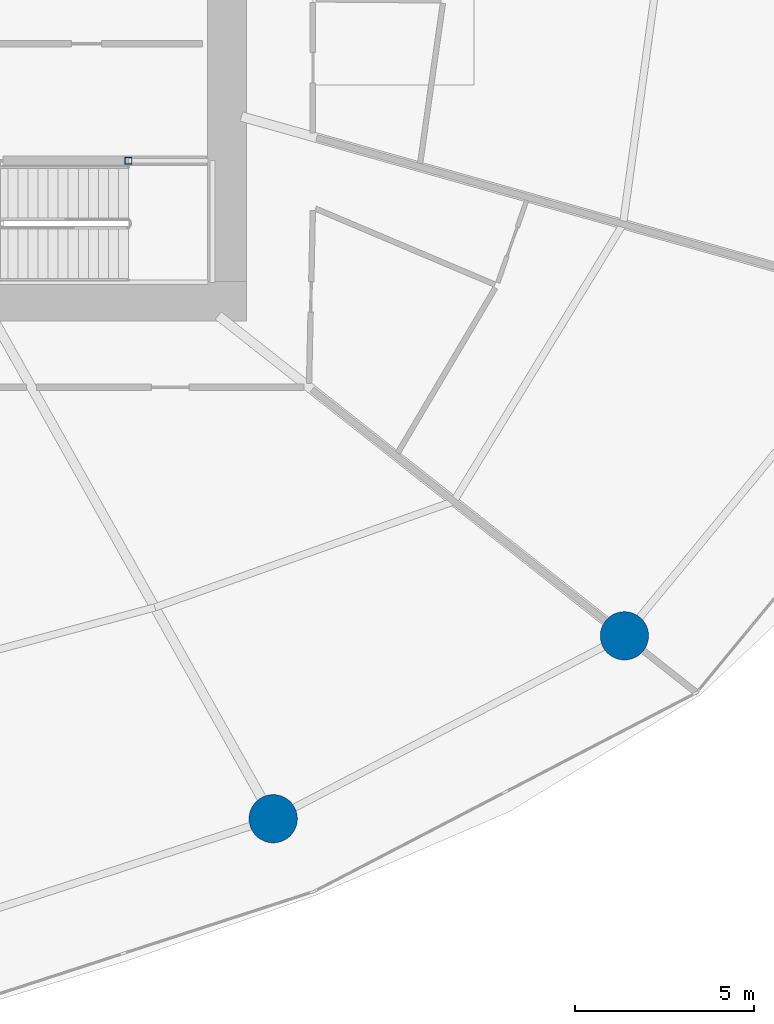
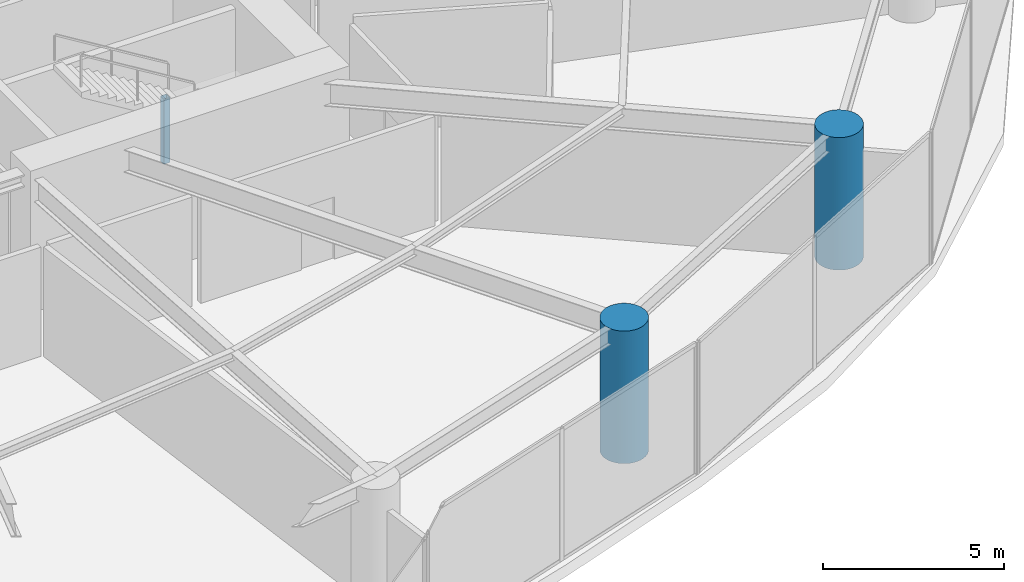
# One storey, part 3 of 22: 3 columns.
"""IFC4 building model written with IfcOpenShell, lengths in metres."""

from ifc_helpers import new_model, si_unit, direction, frame, origin, origin_2d, place, context, subcontext, project, spatial, hollow_rectangle, circle, extrude, material, material_profile, profile_set, type_object, element, save


model = new_model("IFC4")

# Units and contexts
model_context = context("Model", 3, precision=1e-05, world=origin(), true_north=direction((0.0, 1.0)))
body_context = subcontext(model_context, "Body", "Model", "MODEL_VIEW")
ifc_project = project(units=[si_unit("LENGTHUNIT", "METRE"), si_unit("AREAUNIT", "SQUARE_METRE"), si_unit("VOLUMEUNIT", "CUBIC_METRE"), si_unit("PLANEANGLEUNIT", "RADIAN"), si_unit("MASSUNIT", "GRAM", prefix="KILO")], contexts=[model_context])

# Site, building, storey
site_placement = place(None, origin())
site = spatial("IfcSite", under=ifc_project, at=site_placement, CompositionType="ELEMENT")
building_placement = place(site_placement, origin())
building = spatial("IfcBuilding", under=site, at=building_placement, Name="Kazma Halo Residences", CompositionType="ELEMENT")
storey_placement = place(building_placement, frame((0.0, 0.0, 7.199951171875)))
storey = spatial("IfcBuildingStorey", under=building, at=storey_placement, Name="L01", CompositionType="ELEMENT", Elevation=7.199951171875)

# Columns
ifc_material_1 = material(Name="Steel S355", Category="steel")
ifc_material_profile_1 = material_profile(ifc_material_1, hollow_rectangle(XDim=0.199951171875, YDim=0.199951171875, WallThickness=0.010009765625, InnerFilletRadius=0.010009765625, OuterFilletRadius=0.02001953125, at=origin_2d()), Name="SHS200x200x10")
ifc_profile_set_1 = profile_set([ifc_material_profile_1], Name="Steel S355")
column_type_1 = type_object("IfcColumnType", Name="COL-LP-SHS200", PredefinedType="COLUMN", material=ifc_profile_set_1)
column_placement = place(storey_placement, frame((56.840087890625, 37.3798828125, 0.0), z_axis=(0.0, 0.0, 1.0), x_axis=(1.0, 0.0, 0.0)))
element("IfcColumn", 1, at=column_placement, inside=storey, type_object=column_type_1, Name="L01 ST-03 landing pilaster 1", PredefinedType="COLUMN", context=body_context, shape_type="SweptSolid", body=[
    extrude(hollow_rectangle(XDim=0.199951171875, YDim=0.199951171875, WallThickness=0.010009765625, InnerFilletRadius=0.010009765625, OuterFilletRadius=0.02001953125, at=origin_2d()), origin(), (0.0, 0.0, 1.0), 2.195068359375),
])
ifc_material_2 = material(Name="Concrete C80/95", Category="concrete")
ifc_material_profile_2 = material_profile(ifc_material_2, circle(Radius=0.675048828125, at=origin_2d()), Name="CIRC1350")
ifc_profile_set_2 = profile_set([ifc_material_profile_2], Name="Concrete C80/95")
column_type_2 = type_object("IfcColumnType", Name="COL-PERIM-1350", PredefinedType="COLUMN", material=ifc_profile_set_2)
for number, where, z_axis, x_axis, name in (
    (2, (60.889404296875, 18.984375, 0.0), (0.0, 0.0, 1.0), (1.0, 0.0, 0.0), "L01 perimeter ring column P13"),
    (3, (70.708984375, 24.09765625, 0.0), (0.0, 0.0, 1.0), (1.0, 0.0, 0.0), "L01 perimeter ring column P14"),
):
    element("IfcColumn", number, at=place(storey_placement, frame(where, z_axis=z_axis, x_axis=x_axis)), inside=storey, type_object=column_type_2, Name=name, PredefinedType="COLUMN", context=body_context, shape_type="SweptSolid", body=[
        extrude(circle(Radius=0.675048828125, at=origin_2d()), origin(), (0.0, 0.0, 1.0), 4.47998046875),
    ])

save(model, "model.ifc")
